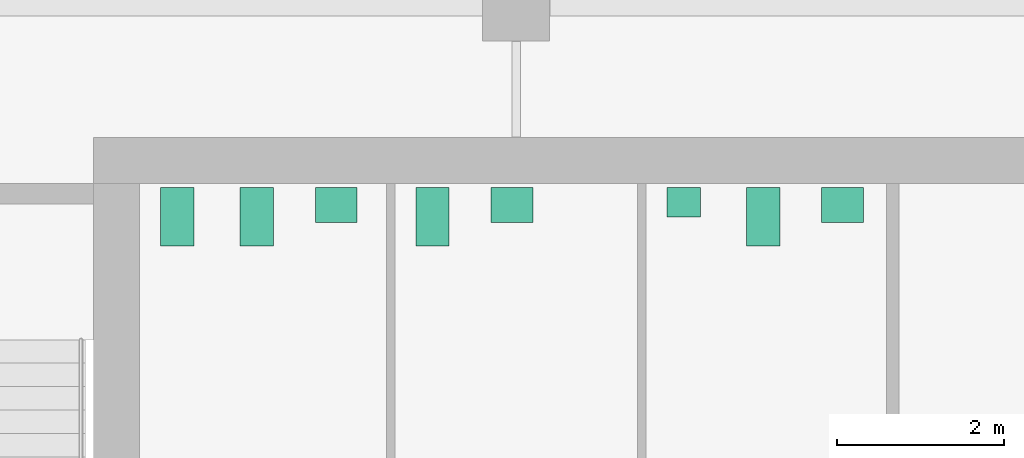
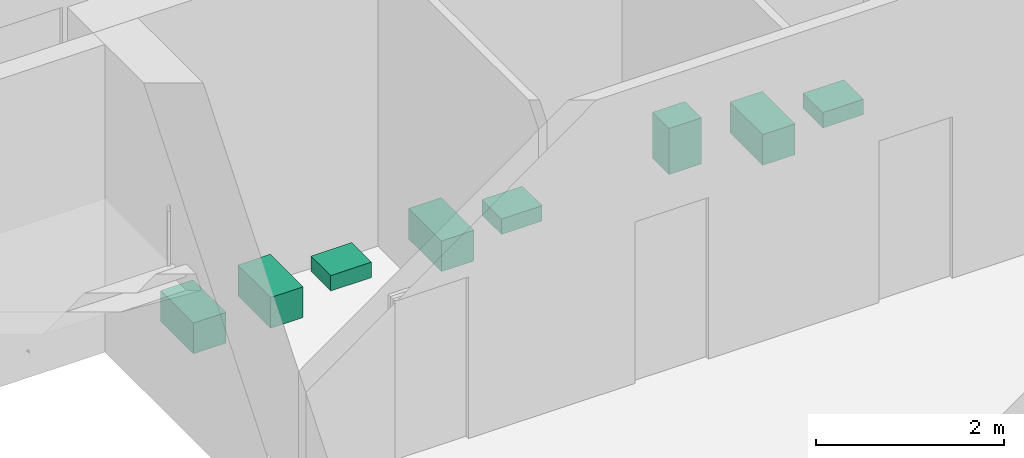
# One storey, part 7 of 7: 8 sanitary terminals.
"""IFC4 building model written with IfcOpenShell, lengths in metres."""

import ifcopenshell
import ifcopenshell.guid

model = None  # the IFC model being written
_history = None  # IfcOwnerHistory: only IFC2X3 demands one
_inside = {}  # id of a spatial element -> (the spatial element, [elements in it])
_under = {}  # id of a project, library or spatial element -> (it, [spatial elements below it])
_declared = {}  # id of a project -> (the project, [libraries it declares])
_typed = {}  # id of a type object -> (the type object, [elements of that type])
_made_of = {}  # id of a material, layer set ... -> (it, [elements and type objects made of it])


def new_model(schema):
    """Start an empty IFC model of exactly this schema.

    Asked for "IFC4X3", IfcOpenShell would pick the latest addendum, in which some entities
    have other attributes; the version numbers below select the first issue.
    IFC2X3 requires an IfcOwnerHistory on every rooted entity: one is made here for all.
    """
    global model, _history
    if schema == "IFC4X3":
        model = ifcopenshell.file(schema_version=(4, 3, 0, 0))
    else:
        model = ifcopenshell.file(schema=schema)
    _inside.clear()
    _under.clear()
    _declared.clear()
    _typed.clear()
    _made_of.clear()
    _history = None
    if model.schema == "IFC2X3":
        org = make("IfcOrganization", Name="unknown")
        user = make(
            "IfcPersonAndOrganization",
            ThePerson=make("IfcPerson", FamilyName="unknown"),
            TheOrganization=org,
        )
        app = make(
            "IfcApplication",
            ApplicationDeveloper=org,
            Version="unknown",
            ApplicationFullName="unknown",
            ApplicationIdentifier="unknown",
        )
        _history = make(
            "IfcOwnerHistory",
            OwningUser=user,
            OwningApplication=app,
            ChangeAction="ADDED",
            CreationDate=0,
        )
    return model


def make(cls, **values):
    """One entity of the class cls with the attributes given. An attribute that is None is left unset."""
    return model.create_entity(
        cls, **{name: value for name, value in values.items() if value is not None}
    )


def rooted(cls, **values):
    """An entity with a GlobalId (a new one), such as an element, a storey or a relation."""
    return make(cls, GlobalId=ifcopenshell.guid.new(), OwnerHistory=_history, **values)


def si_unit(unit_type, name, prefix=None):
    """IfcSIUnit, for example si_unit("LENGTHUNIT", "METRE", prefix="MILLI")."""
    return make("IfcSIUnit", UnitType=unit_type, Prefix=prefix, Name=name)


def assignment(units):
    """IfcUnitAssignment: the units of a project."""
    return None if units is None else make("IfcUnitAssignment", Units=units)


def point(xyz):
    """IfcCartesianPoint."""
    return None if xyz is None else make("IfcCartesianPoint", Coordinates=xyz)


def direction(xyz):
    """IfcDirection."""
    return None if xyz is None else make("IfcDirection", DirectionRatios=xyz)


def frame(location, z_axis=None, x_axis=None):
    """IfcAxis2Placement3D, a coordinate frame: its origin and axes. An axis left out is left unset."""
    return make(
        "IfcAxis2Placement3D",
        Location=point(location),
        Axis=direction(z_axis),
        RefDirection=direction(x_axis),
    )


def frame_2d(location, x_axis=None):
    """IfcAxis2Placement2D, a coordinate frame in the plane: its origin and x axis."""
    return make(
        "IfcAxis2Placement2D", Location=point(location), RefDirection=direction(x_axis)
    )


def origin():
    """The frame at (0, 0, 0) with its axes left unset."""
    return frame((0.0, 0.0, 0.0))


def origin_2d():
    """The frame at (0, 0) in the plane with its x axis left unset."""
    return frame_2d((0.0, 0.0))


def place(relative_to, where):
    """IfcLocalPlacement: puts the frame where relative to a parent placement (None: the world)."""
    return make(
        "IfcLocalPlacement", PlacementRelTo=relative_to, RelativePlacement=where
    )


def context(
    kind, dimensions, precision=None, world=None, true_north=None, identifier=None
):
    """IfcGeometricRepresentationContext, for example the 3D "Model" context."""
    return make(
        "IfcGeometricRepresentationContext",
        ContextIdentifier=identifier,
        ContextType=kind,
        CoordinateSpaceDimension=dimensions,
        Precision=precision,
        WorldCoordinateSystem=world,
        TrueNorth=true_north,
    )


def subcontext(parent, identifier, kind, view, scale=None):
    """IfcGeometricRepresentationSubContext, for example "Body" below "Model"."""
    return make(
        "IfcGeometricRepresentationSubContext",
        ContextIdentifier=identifier,
        ContextType=kind,
        ParentContext=parent,
        TargetScale=scale,
        TargetView=view,
    )


def project(units=None, contexts=None):
    """IfcProject with its units and contexts."""
    return rooted(
        "IfcProject",
        Name="project",
        RepresentationContexts=contexts,
        UnitsInContext=assignment(units),
    )


def spatial(cls, under=None, at=None, **own):
    """A site, building, storey or space (cls), placed at a placement, below another one or the project."""
    s = rooted(cls, ObjectPlacement=at, **own)
    if under is not None:
        _under.setdefault(under.id(), (under, []))[1].append(s)
    return s


def profile(cls, at=None, kind="AREA", **sizes):
    """A parametric profile (cls). Its sizes go by their IFC names, for example OverallWidth=200.0."""
    return make(cls, ProfileType=kind, Position=at, **sizes)


def rectangle(**sizes):
    """IfcRectangleProfileDef."""
    return profile("IfcRectangleProfileDef", **sizes)


def extrude(swept, where, along, depth):
    """IfcExtrudedAreaSolid: the profile swept, set in the frame where, extruded along a direction by depth."""
    return make(
        "IfcExtrudedAreaSolid",
        SweptArea=swept,
        Position=where,
        ExtrudedDirection=direction(along),
        Depth=depth,
    )


def shape(context_of_items, identifier, shape_type, items):
    """IfcShapeRepresentation: the items that make up one representation, for example the "Body"."""
    return make(
        "IfcShapeRepresentation",
        ContextOfItems=context_of_items,
        RepresentationIdentifier=identifier,
        RepresentationType=shape_type,
        Items=items,
    )


def material(Name=None, Category=None):
    """IfcMaterial."""
    return make("IfcMaterial", Name=Name, Category=Category)


def made_of(thing, what):
    """Note that an element or type object is made of a material, layer set ...; save() writes the relation."""
    if what is not None:
        _made_of.setdefault(what.id(), (what, []))[1].append(thing)
    return thing


def type_object(cls, material=None, **own):
    """A type object (cls), such as IfcWallType, which elements share."""
    return made_of(rooted(cls, **own), material)


def element(
    cls,
    number,
    at=None,
    inside=None,
    cuts=None,
    type_object=None,
    material=None,
    context=None,
    identifier="Body",
    shape_type=None,
    held_by="IfcProductDefinitionShape",
    body=None,
    shapes=None,
    **own,
):
    """One element of the class cls, such as IfcWall. Its Tag is "e" and its number.

    at: its placement. inside: the storey or other place that contains it. cuts: it is an
    opening in that element (IfcRelVoidsElement). A single representation is given by context,
    identifier, shape_type and body (its items); several are given by shapes. held_by: the class
    of the entity that holds the representations. save() writes the other relations.
    """
    e = rooted(cls, Tag="e%d" % number, ObjectPlacement=at, **own)
    if body is not None:
        shapes = [shape(context, identifier, shape_type, body)]
    if shapes is not None:
        e.Representation = make(held_by, Representations=shapes)
    if inside is not None:
        _inside.setdefault(inside.id(), (inside, []))[1].append(e)
    if cuts is not None:
        rooted(
            "IfcRelVoidsElement", RelatingBuildingElement=cuts, RelatedOpeningElement=e
        )
    if type_object is not None:
        _typed.setdefault(type_object.id(), (type_object, []))[1].append(e)
    return made_of(e, material)


def aggregate(whole, parts):
    """IfcRelAggregates: a whole, such as a stair, and the parts it consists of."""
    return rooted("IfcRelAggregates", RelatingObject=whole, RelatedObjects=parts)


def save(model, path):
    """Write the relations noted so far, then the file.

    IfcRelAggregates (storeys below a building ...), IfcRelContainedInSpatialStructure (elements
    in a storey), IfcRelDefinesByType, IfcRelAssociatesMaterial and IfcRelDeclares: one each for
    every whole, place, type object, material and project.
    """
    for whole, parts in _under.values():
        aggregate(whole, parts)
    for where, things in _inside.values():
        rooted(
            "IfcRelContainedInSpatialStructure",
            RelatedElements=things,
            RelatingStructure=where,
        )
    for kind, things in _typed.values():
        rooted("IfcRelDefinesByType", RelatedObjects=things, RelatingType=kind)
    for what, things in _made_of.values():
        rooted("IfcRelAssociatesMaterial", RelatedObjects=things, RelatingMaterial=what)
    for by, libraries in _declared.values():
        rooted("IfcRelDeclares", RelatingContext=by, RelatedDefinitions=libraries)
    model.write(path)


model = new_model("IFC4")

# Units and contexts
model_context = context("Model", 3, precision=1e-05, world=origin(), true_north=direction((0.0, 1.0)))
body_context = subcontext(model_context, "Body", "Model", "MODEL_VIEW")
ifc_project = project(units=[si_unit("LENGTHUNIT", "METRE"), si_unit("AREAUNIT", "SQUARE_METRE"), si_unit("VOLUMEUNIT", "CUBIC_METRE"), si_unit("PLANEANGLEUNIT", "RADIAN"), si_unit("MASSUNIT", "GRAM", prefix="KILO")], contexts=[model_context])

# Site, building, storey
site_placement = place(None, origin())
site = spatial("IfcSite", under=ifc_project, at=site_placement, CompositionType="ELEMENT")
building_placement = place(site_placement, origin())
building = spatial("IfcBuilding", under=site, at=building_placement, Name="Cinnabar Reach Civic Tower", CompositionType="ELEMENT")
storey_placement = place(building_placement, frame((0.0, 0.0, 234.0)))
storey = spatial("IfcBuildingStorey", under=building, at=storey_placement, Name="L56", CompositionType="ELEMENT", Elevation=234.0)

# Sanitary terminals
ifc_material = material(Name="Vitreous china")
sanitary_terminal_type_1 = type_object("IfcSanitaryTerminalType", Name="T1 WC pan", PredefinedType="TOILETPAN", material=ifc_material)
for number, where, z_axis, x_axis, name in (
    (1, (4.95, 41.6, 0.0), (0.0, 0.0, 1.0), (1.0, 0.0, 0.0), "T1 WC pan 5608-1"),
    (2, (5.9, 41.6, 0.0), (0.0, 0.0, 1.0), (1.0, 0.0, 0.0), "T1 WC pan 5608-2"),
    (3, (8.0, 41.6, 0.0), (0.0, 0.0, 1.0), (1.0, 0.0, 0.0), "T1 WC pan 5609-1"),
    (4, (11.95, 41.6, 0.0), (0.0, 0.0, 1.0), (1.0, 0.0, 0.0), "T1 WC pan 5610-2"),
):
    element("IfcSanitaryTerminal", number, at=place(storey_placement, frame(where, z_axis=z_axis, x_axis=x_axis)), inside=storey, type_object=sanitary_terminal_type_1, Name=name, PredefinedType="TOILETPAN", context=body_context, shape_type="SweptSolid", body=[
        extrude(rectangle(XDim=0.4, YDim=0.7, at=origin_2d()), origin(), (0.0, 0.0, 1.0), 0.4),
    ])
sanitary_terminal_type_2 = type_object("IfcSanitaryTerminalType", Name="T1 urinal", PredefinedType="URINAL", material=ifc_material)
sanitary_terminal_placement = place(storey_placement, frame((11.0, 41.775, 0.0), z_axis=(0.0, 0.0, 1.0), x_axis=(1.0, 0.0, 0.0)))
element("IfcSanitaryTerminal", 5, at=sanitary_terminal_placement, inside=storey, type_object=sanitary_terminal_type_2, Name="T1 urinal 5610-1", PredefinedType="URINAL", context=body_context, shape_type="SweptSolid", body=[
    extrude(rectangle(XDim=0.4, YDim=0.35, at=origin_2d()), origin(), (0.0, 0.0, 1.0), 0.6),
])
sanitary_terminal_type_3 = type_object("IfcSanitaryTerminalType", Name="T1 wash basin", PredefinedType="WASHHANDBASIN", material=ifc_material)
for number, where, z_axis, x_axis, name in (
    (6, (6.85, 41.74, 0.0), (0.0, 0.0, 1.0), (1.0, 0.0, 0.0), "T1 wash basin 5608-3"),
    (7, (8.95, 41.74, 0.0), (0.0, 0.0, 1.0), (1.0, 0.0, 0.0), "T1 wash basin 5609-2"),
    (8, (12.9, 41.74, 0.0), (0.0, 0.0, 1.0), (1.0, 0.0, 0.0), "T1 wash basin 5610-3"),
):
    element("IfcSanitaryTerminal", number, at=place(storey_placement, frame(where, z_axis=z_axis, x_axis=x_axis)), inside=storey, type_object=sanitary_terminal_type_3, Name=name, PredefinedType="WASHHANDBASIN", context=body_context, shape_type="SweptSolid", body=[
        extrude(rectangle(XDim=0.5, YDim=0.42, at=origin_2d()), origin(), (0.0, 0.0, 1.0), 0.2),
    ])

save(model, "model.ifc")
